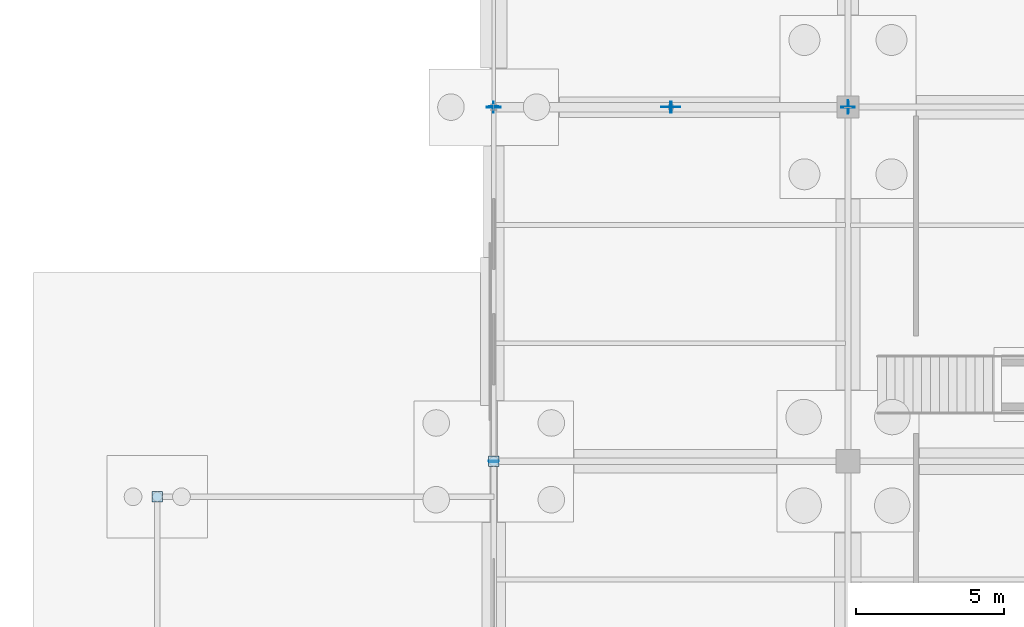
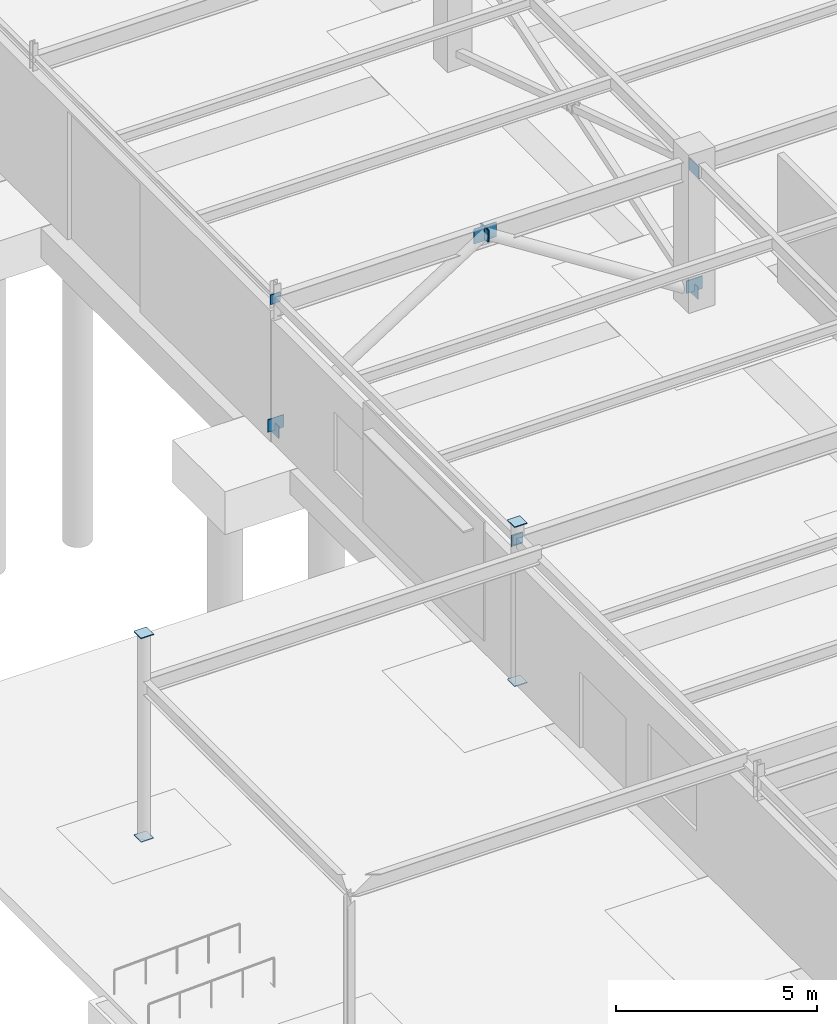
# One storey, part 91 of 136: 15 plates.
"""IFC4 building model written with IfcOpenShell, lengths in metres."""

from ifc_helpers import new_model, si_unit, direction, frame, origin, origin_2d, place, context, subcontext, project, spatial, rectangle, extrude, material, layer, layer_set, type_object, element, save


model = new_model("IFC4")

# Units and contexts
model_context = context("Model", 3, precision=1e-05, world=origin(), true_north=direction((0.0, 1.0)))
body_context = subcontext(model_context, "Body", "Model", "MODEL_VIEW")
ifc_project = project(units=[si_unit("LENGTHUNIT", "METRE"), si_unit("AREAUNIT", "SQUARE_METRE"), si_unit("VOLUMEUNIT", "CUBIC_METRE"), si_unit("PLANEANGLEUNIT", "RADIAN"), si_unit("MASSUNIT", "GRAM", prefix="KILO")], contexts=[model_context])

# Site, building, storey
site_placement = place(None, origin())
site = spatial("IfcSite", under=ifc_project, at=site_placement, CompositionType="ELEMENT")
building_placement = place(site_placement, origin())
building = spatial("IfcBuilding", under=site, at=building_placement, Name="Tarnwether General Hospital", CompositionType="ELEMENT")
storey_placement = place(building_placement, frame((0.0, 0.0, -4.800048828125)))
storey = spatial("IfcBuildingStorey", under=building, at=storey_placement, Name="LG", CompositionType="ELEMENT", Elevation=-4.800048828125)

# Plates
ifc_material_1 = material(Name="Steel Grade 350 (350 MPa)", Category="steel")
ifc_layer_1 = layer(ifc_material_1, 0.02001953125)
ifc_layer_set_1 = layer_set([ifc_layer_1], Name="Steel Grade 350 (350 MPa)")
plate_type_1 = type_object("IfcPlateType", Name="PT-GUS1", PredefinedType="USERDEFINED", material=ifc_layer_set_1)
plate_1_placement = place(storey_placement, frame((6.0, 45.60009765625, 3.96484375), z_axis=(0.0, 0.0, 1.0), x_axis=(1.0, 0.0, 0.0)))
element("IfcPlate", 1, at=plate_1_placement, inside=storey, type_object=plate_type_1, Name="Chevron Brace Apex Gusset Plate 003", ObjectType="GUSSET", PredefinedType="USERDEFINED", context=body_context, shape_type="SweptSolid", body=[
    extrude(rectangle(XDim=0.64990234375, YDim=0.02001953125, at=origin_2d()), origin(), (0.0, 0.0, 1.0), 0.449951171875),
])
ifc_material_2 = material(Name="Steel Grade 350 (350 MPa)", Category="steel")
ifc_layer_2 = layer(ifc_material_2, 0.02490234375)
ifc_layer_set_2 = layer_set([ifc_layer_2], Name="Steel Grade 350 (350 MPa)")
plate_type_2 = type_object("IfcPlateType", Name="PT-GUS2", PredefinedType="USERDEFINED", material=ifc_layer_set_2)
for number, where, z_axis, x_axis, name in (
    (2, (0.0, 45.60009765625, 0.330078125), (0.0, 0.0, 1.0), (1.0, 0.0, 0.0), "Brace Base Gusset Plate 001"),
    (3, (12.0, 45.60009765625, 0.330078125), (0.0, 0.0, 1.0), (1.0, 0.0, 0.0), "Brace Base Gusset Plate 002"),
    (4, (12.0, 45.60009765625, 3.860107421875), (0.0, 0.0, 1.0), (0.0, 1.0, 0.0), "X-Brace Corner Gusset Plate 038"),
):
    element("IfcPlate", number, at=place(storey_placement, frame(where, z_axis=z_axis, x_axis=x_axis)), inside=storey, type_object=plate_type_2, Name=name, ObjectType="GUSSET", PredefinedType="USERDEFINED", context=body_context, shape_type="SweptSolid", body=[
        extrude(rectangle(XDim=0.4599609375, YDim=0.02490234375, at=origin_2d()), origin(), (0.0, 0.0, 1.0), 0.3798828125),
    ])
for number, where, z_axis, x_axis, name in (
    (5, (0.0, 33.60009765625, -0.02490234375), (0.0, 0.0, 1.0), (1.0, 0.0, 0.0), "Hollow Section Welded End Cap Plate 0003"),
    (6, (0.0, 33.60009765625, 4.800048828125), (0.0, 0.0, 1.0), (1.0, 0.0, 0.0), "Hollow Section Welded End Cap Plate 0004"),
    (7, (-11.39990234375, 32.39990234375, -0.02490234375), (0.0, 0.0, 1.0), (1.0, 0.0, 0.0), "Hollow Section Welded End Cap Plate 0777"),
    (8, (-11.39990234375, 32.39990234375, 6.150146484375), (0.0, 0.0, 1.0), (1.0, 0.0, 0.0), "Hollow Section Welded End Cap Plate 0778"),
):
    element("IfcPlate", number, at=place(storey_placement, frame(where, z_axis=z_axis, x_axis=x_axis)), inside=storey, type_object=plate_type_2, Name=name, ObjectType="GUSSET", PredefinedType="USERDEFINED", context=body_context, shape_type="SweptSolid", body=[
        extrude(rectangle(XDim=0.364013671875, YDim=0.364013671875, at=origin_2d()), origin(), (0.0, 0.0, 1.0), 0.02490234375),
    ])
plate_2_placement = place(storey_placement, frame((0.0, 33.612548828125, 4.10986328125), z_axis=(0.0, 0.0, 1.0), x_axis=(0.0, 1.0, 0.0)))
element("IfcPlate", 9, at=plate_2_placement, inside=storey, type_object=plate_type_2, Name="Hollow Section Welded End Cap Plate 0806", ObjectType="GUSSET", PredefinedType="USERDEFINED", context=body_context, shape_type="SweptSolid", body=[
    extrude(rectangle(XDim=0.02490234375, YDim=0.340087890625, at=origin_2d()), origin(), (0.0, 0.0, 1.0), 0.340087890625),
])
for number, where, z_axis, x_axis, name in (
    (10, (0.0, 33.58740234375, 4.159912109375), (0.0, 0.0, 1.0), (0.0, 1.0, 0.0), "Hollow Section Welded End Cap Plate 0807"),
    (11, (0.0, 45.612548828125, 4.159912109375), (0.0, 0.0, 1.0), (0.0, 1.0, 0.0), "Hollow Section Welded End Cap Plate 0808"),
):
    element("IfcPlate", number, at=place(storey_placement, frame(where, z_axis=z_axis, x_axis=x_axis)), inside=storey, type_object=plate_type_2, Name=name, ObjectType="GUSSET", PredefinedType="USERDEFINED", context=body_context, shape_type="SweptSolid", body=[
        extrude(rectangle(XDim=0.02490234375, YDim=0.2900390625, at=origin_2d()), origin(), (0.0, 0.0, 1.0), 0.2900390625),
    ])
for number, where, z_axis, x_axis, name in (
    (12, (-0.010498046875, 45.60009765625, 0.17138671875), (0.0, 0.0, 1.0), (1.0, 0.0, 0.0), "Hollow Section Welded End Cap Plate 1175"),
    (13, (6.010498046875, 45.60009765625, 4.0146484375), (0.0, 0.0, 1.0), (1.0, 0.0, 0.0), "Hollow Section Welded End Cap Plate 1176"),
    (14, (12.010498046875, 45.60009765625, 0.17138671875), (0.0, 0.0, 1.0), (-1.0, 0.0, 0.0), "Hollow Section Welded End Cap Plate 1177"),
    (15, (5.989501953125, 45.60009765625, 4.0146484375), (0.0, 0.0, 1.0), (-1.0, 0.0, 0.0), "Hollow Section Welded End Cap Plate 1178"),
):
    element("IfcPlate", number, at=place(storey_placement, frame(where, z_axis=z_axis, x_axis=x_axis)), inside=storey, type_object=plate_type_2, Name=name, ObjectType="GUSSET", PredefinedType="USERDEFINED", context=body_context, shape_type="SweptSolid", body=[
        extrude(rectangle(XDim=0.02490234375, YDim=0.364013671875, at=origin_2d()), origin(), (0.0, 0.0, 1.0), 0.364013671875),
    ])

save(model, "model.ifc")
